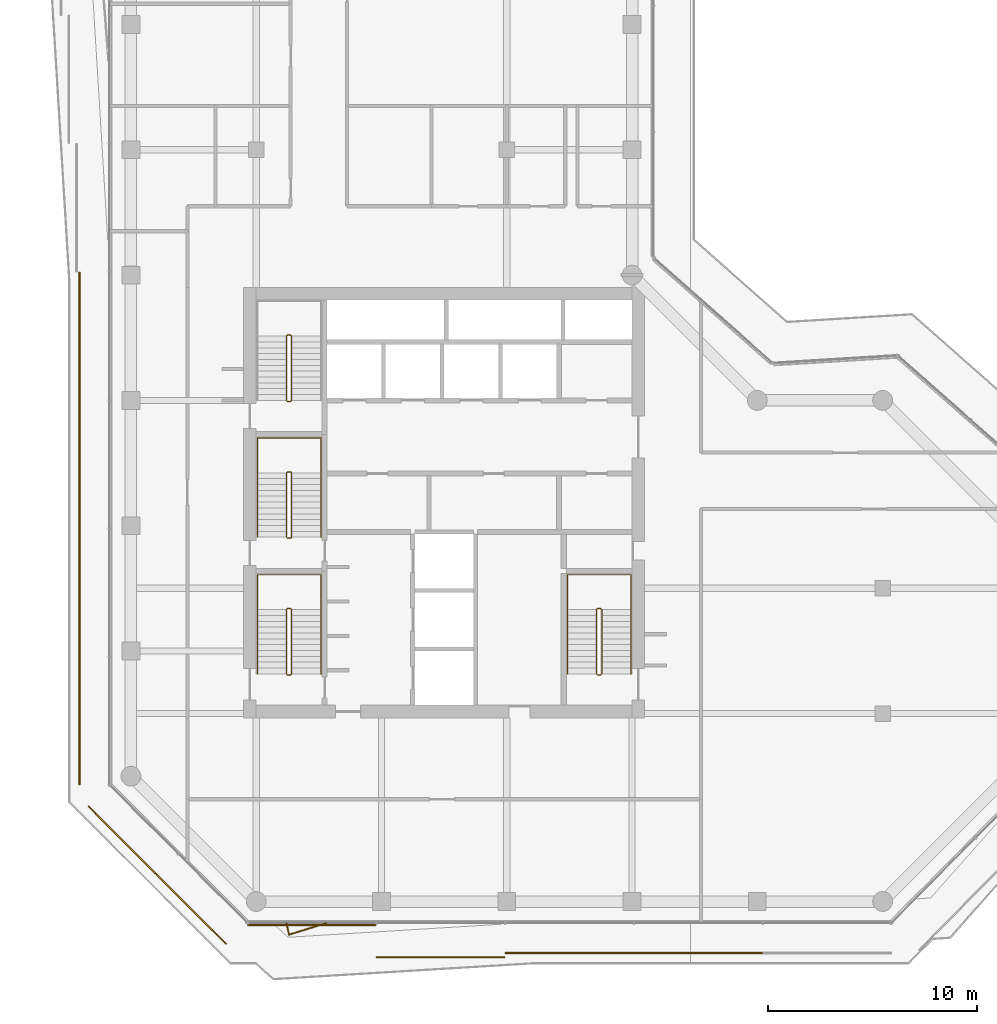
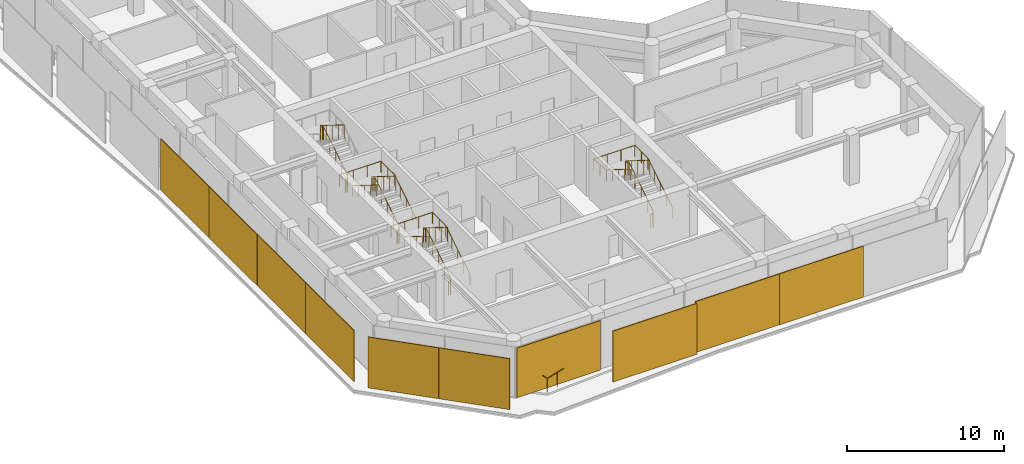
# One storey, part 20 of 21: 10 coverings, 8 railings.
"""IFC4 building model written with IfcOpenShell, lengths in metres."""

from ifc_helpers import new_model, si_unit, direction, frame, origin, origin_2d, place, context, subcontext, project, spatial, rectangle, circle, extrude, material, layer, layer_set, type_object, element, save


model = new_model("IFC4")

# Units and contexts
model_context = context("Model", 3, precision=1e-05, world=origin(), true_north=direction((0.0, 1.0)))
body_context = subcontext(model_context, "Body", "Model", "MODEL_VIEW")
ifc_project = project(units=[si_unit("LENGTHUNIT", "METRE"), si_unit("AREAUNIT", "SQUARE_METRE"), si_unit("VOLUMEUNIT", "CUBIC_METRE"), si_unit("PLANEANGLEUNIT", "RADIAN"), si_unit("MASSUNIT", "GRAM", prefix="KILO")], contexts=[model_context])

# Site, building, storey
site_placement = place(None, origin())
site = spatial("IfcSite", under=ifc_project, at=site_placement, CompositionType="ELEMENT")
building_placement = place(site_placement, origin())
building = spatial("IfcBuilding", under=site, at=building_placement, Name="Welwitschia Terrace Campus", CompositionType="ELEMENT")
storey_placement = place(building_placement, frame((0.0, 0.0, 184.39990234375)))
storey = spatial("IfcBuildingStorey", under=building, at=storey_placement, Name="L41", CompositionType="ELEMENT", Elevation=184.39990234375)

# Coverings
ifc_material_1 = material(Name="Bronze mesh aluminium screen", Category="aluminium")
ifc_layer = layer(ifc_material_1, 0.06005859375)
ifc_layer_set = layer_set([ifc_layer], Name="Bronze mesh aluminium screen")
covering_type = type_object("IfcCoveringType", Name="Bronze screen 60", PredefinedType="USERDEFINED", material=ifc_layer_set)
for number, where, z_axis, x_axis, name in (
    (1, (-0.390380859375, -1.088623046875, 0.0), (0.0, 0.0, 1.0), (0.707106781187, -0.707106781187, 0.0), "Screen L41.0.0"),
    (2, (2.911376953125, -4.390380859375, 0.0), (0.0, 0.0, 1.0), (0.707106781187, -0.707106781187, 0.0), "Screen L41.0.1"),
):
    element("IfcCovering", number, at=place(storey_placement, frame(where, z_axis=z_axis, x_axis=x_axis)), inside=storey, type_object=covering_type, Name=name, ObjectType="SCREEN", PredefinedType="USERDEFINED", context=body_context, shape_type="SweptSolid", body=[
        extrude(rectangle(XDim=4.6494140625, YDim=0.06005859375, at=origin_2d()), origin(), (0.0, 0.0, 1.0), 3.949951171875),
    ])
covering_placement = place(storey_placement, frame((8.65869140625, -5.1201171875, 0.0), z_axis=(0.0, 0.0, 1.0), x_axis=(1.0, 0.0, 0.0)))
element("IfcCovering", 3, at=covering_placement, inside=storey, type_object=covering_type, Name="Screen L41.1.0", ObjectType="SCREEN", PredefinedType="USERDEFINED", context=body_context, shape_type="SweptSolid", body=[
    extrude(rectangle(XDim=6.150634765625, YDim=0.06005859375, at=origin_2d()), origin(), (0.0, 0.0, 1.0), 3.85009765625),
])
for number, where, z_axis, x_axis, name in (
    (4, (14.829345703125, -6.665283203125, 0.0), (0.0, 0.0, 1.0), (1.0, 0.0, 0.0), "Screen L41.1.1"),
    (5, (21.0, -6.4599609375, 0.0), (0.0, 0.0, 1.0), (1.0, 0.0, 0.0), "Screen L41.1.2"),
    (6, (27.170654296875, -6.4599609375, 0.0), (0.0, 0.0, 1.0), (1.0, 0.0, 0.0), "Screen L41.1.3"),
):
    element("IfcCovering", number, at=place(storey_placement, frame(where, z_axis=z_axis, x_axis=x_axis)), inside=storey, type_object=covering_type, Name=name, ObjectType="SCREEN", PredefinedType="USERDEFINED", context=body_context, shape_type="SweptSolid", body=[
        extrude(rectangle(XDim=6.150634765625, YDim=0.06005859375, at=origin_2d()), origin(), (0.0, 0.0, 1.0), 3.949951171875),
    ])
for number, where, z_axis, x_axis, name in (
    (7, (-2.4599609375, 23.083251953125, 0.0), (0.0, 0.0, 1.0), (0.0, -1.0, 0.0), "Screen L41.10.6"),
    (8, (-2.4599609375, 16.9375, 0.0), (0.0, 0.0, 1.0), (0.0, -1.0, 0.0), "Screen L41.10.7"),
    (9, (-2.4599609375, 10.7919921875, 0.0), (0.0, 0.0, 1.0), (0.0, -1.0, 0.0), "Screen L41.10.8"),
    (10, (-2.4599609375, 4.646240234375, 0.0), (0.0, 0.0, 1.0), (0.0, -1.0, 0.0), "Screen L41.10.9"),
):
    element("IfcCovering", number, at=place(storey_placement, frame(where, z_axis=z_axis, x_axis=x_axis)), inside=storey, type_object=covering_type, Name=name, ObjectType="SCREEN", PredefinedType="USERDEFINED", context=body_context, shape_type="SweptSolid", body=[
        extrude(rectangle(XDim=6.125732421875, YDim=0.06005859375, at=origin_2d()), origin(), (0.0, 0.0, 1.0), 3.949951171875),
    ])

# Railings
ifc_material_2 = material(Name="Stainless steel grade 316", Category="steel")
railing_type_1 = type_object("IfcRailingType", Name="Guard 1100", PredefinedType="GUARDRAIL", material=ifc_material_2)
railing_1_placement = place(storey_placement, frame((9.361328125, -5.030029296875, 0.0)))
element("IfcRailing", 11, at=railing_1_placement, inside=storey, type_object=railing_type_1, Name="Guard floor edge L41.2", PredefinedType="GUARDRAIL", context=body_context, shape_type="SweptSolid", body=[
    extrude(circle(Radius=0.02392578125, at=origin_2d()), frame((0.0, 0.0, 1.076171875), z_axis=(-0.954440587669, -0.298401013086, 0.0), x_axis=(0.298401013086, -0.954440587669, 0.0)), (0.0, 0.0, 1.0), 1.875244140625),
    extrude(circle(Radius=0.02392578125, at=origin_2d()), frame((-1.789794921875, -0.5595703125, 1.076171875), z_axis=(-0.21598312722, 0.976397095836, 0.0), x_axis=(-0.976397095836, -0.21598312722, 0.0)), (0.0, 0.0, 1.0), 0.572998046875),
    extrude(circle(Radius=0.02099609375, at=origin_2d()), origin(), (0.0, 0.0, 1.0), 1.052001953125),
    extrude(circle(Radius=0.02099609375, at=origin_2d()), frame((-0.89501953125, -0.27978515625, 0.0)), (0.0, 0.0, 1.0), 1.052001953125),
    extrude(circle(Radius=0.02099609375, at=origin_2d()), frame((-1.789794921875, -0.5595703125, 0.0)), (0.0, 0.0, 1.0), 1.052001953125),
    extrude(circle(Radius=0.02099609375, at=origin_2d()), frame((-1.91357421875, 0.0, 0.0)), (0.0, 0.0, 1.0), 1.052001953125),
])
ifc_material_3 = material(Name="Steel S355", Category="steel")
railing_type_2 = type_object("IfcRailingType", Name="Stair guard 1100", PredefinedType="GUARDRAIL", material=ifc_material_3)
railing_2_placement = place(storey_placement, frame((7.5, 6.85009765625, 0.0)))
element("IfcRailing", 12, at=railing_2_placement, inside=storey, type_object=railing_type_2, Name="L41 S1 stair guard", PredefinedType="GUARDRAIL", context=body_context, shape_type="SweptSolid", body=[
    extrude(circle(Radius=0.02392578125, at=origin_2d()), frame((0.0, 0.0, 1.076171875), z_axis=(1.0, 0.0, 0.0), x_axis=(0.0, 1.0, 0.0)), (0.0, 0.0, 1.0), 0.14990234375),
    extrude(circle(Radius=0.02392578125, at=origin_2d()), frame((0.14990234375, 0.0, 1.076171875), z_axis=(0.265155923931, 0.263862480399, 0.927399011991), x_axis=(-0.705375805398, 0.708833529934, 0.0)), (0.0, 0.0, 1.0), 0.188720703125),
    extrude(circle(Radius=0.02392578125, at=origin_2d()), frame((0.199951171875, 0.0498046875, 1.2509765625), z_axis=(0.0, 0.847998304005, 0.529998940003), x_axis=(-1.0, 0.0, 0.0)), (0.0, 0.0, 1.0), 3.632080078125),
    extrude(circle(Radius=0.02392578125, at=origin_2d()), frame((0.199951171875, 3.1298828125, 3.17626953125), z_axis=(-0.707106781187, 0.707106781187, 0.0), x_axis=(-0.707106781187, -0.707106781187, 0.0)), (0.0, 0.0, 1.0), 0.07080078125),
    extrude(circle(Radius=0.02392578125, at=origin_2d()), frame((0.14990234375, 3.179931640625, 3.17626953125), z_axis=(-1.0, 0.0, 0.0), x_axis=(0.0, -1.0, 0.0)), (0.0, 0.0, 1.0), 0.14990234375),
    extrude(circle(Radius=0.02392578125, at=origin_2d()), frame((0.0, 3.179931640625, 3.17626953125), z_axis=(-0.265065253269, -0.265065253269, 0.927081885822), x_axis=(0.707106781187, -0.707106781187, 0.0)), (0.0, 0.0, 1.0), 0.188720703125),
    extrude(circle(Radius=0.02392578125, at=origin_2d()), frame((-0.050048828125, 3.1298828125, 3.35107421875), z_axis=(0.0, -0.847998304005, 0.529998940003), x_axis=(1.0, 0.0, 0.0)), (0.0, 0.0, 1.0), 3.632080078125),
    extrude(circle(Radius=0.02099609375, at=origin_2d()), origin(), (0.0, 0.0, 1.0), 1.052001953125),
    extrude(circle(Radius=0.02099609375, at=origin_2d()), frame((0.14990234375, 0.0, 0.0)), (0.0, 0.0, 1.0), 1.052001953125),
    extrude(circle(Radius=0.02099609375, at=origin_2d()), frame((0.199951171875, 0.0498046875, 0.175048828125)), (0.0, 0.0, 1.0), 1.052001953125),
    extrude(circle(Radius=0.02099609375, at=origin_2d()), frame((0.199951171875, 0.81982421875, 0.65625)), (0.0, 0.0, 1.0), 1.052001953125),
    extrude(circle(Radius=0.02099609375, at=origin_2d()), frame((0.199951171875, 1.58984375, 1.1376953125)), (0.0, 0.0, 1.0), 1.052001953125),
    extrude(circle(Radius=0.02099609375, at=origin_2d()), frame((0.199951171875, 2.35986328125, 1.618896484375)), (0.0, 0.0, 1.0), 1.052001953125),
    extrude(circle(Radius=0.02099609375, at=origin_2d()), frame((0.199951171875, 3.1298828125, 2.10009765625)), (0.0, 0.0, 1.0), 1.052001953125),
    extrude(circle(Radius=0.02099609375, at=origin_2d()), frame((0.14990234375, 3.179931640625, 2.10009765625)), (0.0, 0.0, 1.0), 1.052001953125),
    extrude(circle(Radius=0.02099609375, at=origin_2d()), frame((0.0, 3.179931640625, 2.10009765625)), (0.0, 0.0, 1.0), 1.052001953125),
    extrude(circle(Radius=0.02099609375, at=origin_2d()), frame((-0.050048828125, 3.1298828125, 2.275146484375)), (0.0, 0.0, 1.0), 1.052001953125),
    extrude(circle(Radius=0.02099609375, at=origin_2d()), frame((-0.050048828125, 2.35986328125, 2.75634765625)), (0.0, 0.0, 1.0), 1.052001953125),
    extrude(circle(Radius=0.02099609375, at=origin_2d()), frame((-0.050048828125, 1.58984375, 3.23779296875)), (0.0, 0.0, 1.0), 1.052001953125),
    extrude(circle(Radius=0.02099609375, at=origin_2d()), frame((-0.050048828125, 0.81982421875, 3.718994140625)), (0.0, 0.0, 1.0), 1.052001953125),
    extrude(circle(Radius=0.02099609375, at=origin_2d()), frame((-0.050048828125, 0.0498046875, 4.2001953125)), (0.0, 0.0, 1.0), 1.052001953125),
])
railing_3_placement = place(storey_placement, frame((7.5, 13.39990234375, 0.0)))
element("IfcRailing", 13, at=railing_3_placement, inside=storey, type_object=railing_type_2, Name="L41 S3 stair guard", PredefinedType="GUARDRAIL", context=body_context, shape_type="SweptSolid", body=[
    extrude(circle(Radius=0.02392578125, at=origin_2d()), frame((0.0, 0.0, 1.076171875), z_axis=(1.0, 0.0, 0.0), x_axis=(0.0, 1.0, 0.0)), (0.0, 0.0, 1.0), 0.14990234375),
    extrude(circle(Radius=0.02392578125, at=origin_2d()), frame((0.14990234375, 0.0, 1.076171875), z_axis=(0.265065253269, 0.265065253269, 0.927081885822), x_axis=(-0.707106781187, 0.707106781187, 0.0)), (0.0, 0.0, 1.0), 0.188720703125),
    extrude(circle(Radius=0.02392578125, at=origin_2d()), frame((0.199951171875, 0.050048828125, 1.2509765625), z_axis=(0.0, 0.847998304005, 0.529998940003), x_axis=(-1.0, 0.0, 0.0)), (0.0, 0.0, 1.0), 3.632080078125),
    extrude(circle(Radius=0.02392578125, at=origin_2d()), frame((0.199951171875, 3.130126953125, 3.17626953125), z_axis=(-0.707106781187, 0.707106781187, 0.0), x_axis=(-0.707106781187, -0.707106781187, 0.0)), (0.0, 0.0, 1.0), 0.07080078125),
    extrude(circle(Radius=0.02392578125, at=origin_2d()), frame((0.14990234375, 3.18017578125, 3.17626953125), z_axis=(-1.0, 0.0, 0.0), x_axis=(0.0, -1.0, 0.0)), (0.0, 0.0, 1.0), 0.14990234375),
    extrude(circle(Radius=0.02392578125, at=origin_2d()), frame((0.0, 3.18017578125, 3.17626953125), z_axis=(-0.265065253269, -0.265065253269, 0.927081885822), x_axis=(0.707106781187, -0.707106781187, 0.0)), (0.0, 0.0, 1.0), 0.188720703125),
    extrude(circle(Radius=0.02392578125, at=origin_2d()), frame((-0.050048828125, 3.130126953125, 3.35107421875), z_axis=(0.0, -0.847998304005, 0.529998940003), x_axis=(1.0, 0.0, 0.0)), (0.0, 0.0, 1.0), 3.632080078125),
    extrude(circle(Radius=0.02099609375, at=origin_2d()), origin(), (0.0, 0.0, 1.0), 1.052001953125),
    extrude(circle(Radius=0.02099609375, at=origin_2d()), frame((0.14990234375, 0.0, 0.0)), (0.0, 0.0, 1.0), 1.052001953125),
    extrude(circle(Radius=0.02099609375, at=origin_2d()), frame((0.199951171875, 0.050048828125, 0.175048828125)), (0.0, 0.0, 1.0), 1.052001953125),
    extrude(circle(Radius=0.02099609375, at=origin_2d()), frame((0.199951171875, 0.820068359375, 0.65625)), (0.0, 0.0, 1.0), 1.052001953125),
    extrude(circle(Radius=0.02099609375, at=origin_2d()), frame((0.199951171875, 1.590087890625, 1.1376953125)), (0.0, 0.0, 1.0), 1.052001953125),
    extrude(circle(Radius=0.02099609375, at=origin_2d()), frame((0.199951171875, 2.360107421875, 1.618896484375)), (0.0, 0.0, 1.0), 1.052001953125),
    extrude(circle(Radius=0.02099609375, at=origin_2d()), frame((0.199951171875, 3.130126953125, 2.10009765625)), (0.0, 0.0, 1.0), 1.052001953125),
    extrude(circle(Radius=0.02099609375, at=origin_2d()), frame((0.14990234375, 3.18017578125, 2.10009765625)), (0.0, 0.0, 1.0), 1.052001953125),
    extrude(circle(Radius=0.02099609375, at=origin_2d()), frame((0.0, 3.18017578125, 2.10009765625)), (0.0, 0.0, 1.0), 1.052001953125),
    extrude(circle(Radius=0.02099609375, at=origin_2d()), frame((-0.050048828125, 3.130126953125, 2.275146484375)), (0.0, 0.0, 1.0), 1.052001953125),
    extrude(circle(Radius=0.02099609375, at=origin_2d()), frame((-0.050048828125, 2.360107421875, 2.75634765625)), (0.0, 0.0, 1.0), 1.052001953125),
    extrude(circle(Radius=0.02099609375, at=origin_2d()), frame((-0.050048828125, 1.590087890625, 3.23779296875)), (0.0, 0.0, 1.0), 1.052001953125),
    extrude(circle(Radius=0.02099609375, at=origin_2d()), frame((-0.050048828125, 0.820068359375, 3.718994140625)), (0.0, 0.0, 1.0), 1.052001953125),
    extrude(circle(Radius=0.02099609375, at=origin_2d()), frame((-0.050048828125, 0.050048828125, 4.2001953125)), (0.0, 0.0, 1.0), 1.052001953125),
])
railing_4_placement = place(storey_placement, frame((7.5, 19.949951171875, 0.0)))
element("IfcRailing", 14, at=railing_4_placement, inside=storey, type_object=railing_type_2, Name="L41 S4 stair guard", PredefinedType="GUARDRAIL", context=body_context, shape_type="SweptSolid", body=[
    extrude(circle(Radius=0.02392578125, at=origin_2d()), frame((0.0, 0.0, 1.076171875), z_axis=(1.0, 0.0, 0.0), x_axis=(0.0, 1.0, 0.0)), (0.0, 0.0, 1.0), 0.14990234375),
    extrude(circle(Radius=0.02392578125, at=origin_2d()), frame((0.14990234375, 0.0, 1.076171875), z_axis=(0.265065253269, 0.265065253269, 0.927081885822), x_axis=(-0.707106781187, 0.707106781187, 0.0)), (0.0, 0.0, 1.0), 0.188720703125),
    extrude(circle(Radius=0.02392578125, at=origin_2d()), frame((0.199951171875, 0.050048828125, 1.2509765625), z_axis=(0.0, 0.847998304005, 0.529998940003), x_axis=(-1.0, 0.0, 0.0)), (0.0, 0.0, 1.0), 3.632080078125),
    extrude(circle(Radius=0.02392578125, at=origin_2d()), frame((0.199951171875, 3.130126953125, 3.17626953125), z_axis=(-0.708833529934, 0.705375805398, 0.0), x_axis=(-0.705375805398, -0.708833529934, 0.0)), (0.0, 0.0, 1.0), 0.070556640625),
    extrude(circle(Radius=0.02392578125, at=origin_2d()), frame((0.14990234375, 3.179931640625, 3.17626953125), z_axis=(-1.0, 0.0, 0.0), x_axis=(0.0, -1.0, 0.0)), (0.0, 0.0, 1.0), 0.14990234375),
    extrude(circle(Radius=0.02392578125, at=origin_2d()), frame((0.0, 3.179931640625, 3.17626953125), z_axis=(-0.265155923931, -0.263862480399, 0.927399011991), x_axis=(0.705375805398, -0.708833529934, 0.0)), (0.0, 0.0, 1.0), 0.188720703125),
    extrude(circle(Radius=0.02392578125, at=origin_2d()), frame((-0.050048828125, 3.130126953125, 3.35107421875), z_axis=(0.0, -0.847998304005, 0.529998940003), x_axis=(1.0, 0.0, 0.0)), (0.0, 0.0, 1.0), 3.632080078125),
    extrude(circle(Radius=0.02099609375, at=origin_2d()), origin(), (0.0, 0.0, 1.0), 1.052001953125),
    extrude(circle(Radius=0.02099609375, at=origin_2d()), frame((0.14990234375, 0.0, 0.0)), (0.0, 0.0, 1.0), 1.052001953125),
    extrude(circle(Radius=0.02099609375, at=origin_2d()), frame((0.199951171875, 0.050048828125, 0.175048828125)), (0.0, 0.0, 1.0), 1.052001953125),
    extrude(circle(Radius=0.02099609375, at=origin_2d()), frame((0.199951171875, 0.820068359375, 0.65625)), (0.0, 0.0, 1.0), 1.052001953125),
    extrude(circle(Radius=0.02099609375, at=origin_2d()), frame((0.199951171875, 1.590087890625, 1.1376953125)), (0.0, 0.0, 1.0), 1.052001953125),
    extrude(circle(Radius=0.02099609375, at=origin_2d()), frame((0.199951171875, 2.360107421875, 1.618896484375)), (0.0, 0.0, 1.0), 1.052001953125),
    extrude(circle(Radius=0.02099609375, at=origin_2d()), frame((0.199951171875, 3.130126953125, 2.10009765625)), (0.0, 0.0, 1.0), 1.052001953125),
    extrude(circle(Radius=0.02099609375, at=origin_2d()), frame((0.14990234375, 3.179931640625, 2.10009765625)), (0.0, 0.0, 1.0), 1.052001953125),
    extrude(circle(Radius=0.02099609375, at=origin_2d()), frame((0.0, 3.179931640625, 2.10009765625)), (0.0, 0.0, 1.0), 1.052001953125),
    extrude(circle(Radius=0.02099609375, at=origin_2d()), frame((-0.050048828125, 3.130126953125, 2.275146484375)), (0.0, 0.0, 1.0), 1.052001953125),
    extrude(circle(Radius=0.02099609375, at=origin_2d()), frame((-0.050048828125, 2.360107421875, 2.75634765625)), (0.0, 0.0, 1.0), 1.052001953125),
    extrude(circle(Radius=0.02099609375, at=origin_2d()), frame((-0.050048828125, 1.590087890625, 3.23779296875)), (0.0, 0.0, 1.0), 1.052001953125),
    extrude(circle(Radius=0.02099609375, at=origin_2d()), frame((-0.050048828125, 0.820068359375, 3.718994140625)), (0.0, 0.0, 1.0), 1.052001953125),
    extrude(circle(Radius=0.02099609375, at=origin_2d()), frame((-0.050048828125, 0.050048828125, 4.2001953125)), (0.0, 0.0, 1.0), 1.052001953125),
])
railing_5_placement = place(storey_placement, frame((22.35009765625, 6.85009765625, 0.0)))
element("IfcRailing", 15, at=railing_5_placement, inside=storey, type_object=railing_type_2, Name="L41 S2 stair guard", PredefinedType="GUARDRAIL", context=body_context, shape_type="SweptSolid", body=[
    extrude(circle(Radius=0.02392578125, at=origin_2d()), frame((0.0, 0.0, 1.076171875), z_axis=(1.0, 0.0, 0.0), x_axis=(0.0, 1.0, 0.0)), (0.0, 0.0, 1.0), 0.14990234375),
    extrude(circle(Radius=0.02392578125, at=origin_2d()), frame((0.14990234375, 0.0, 1.076171875), z_axis=(0.265155923931, 0.263862480399, 0.927399011991), x_axis=(-0.705375805398, 0.708833529934, 0.0)), (0.0, 0.0, 1.0), 0.188720703125),
    extrude(circle(Radius=0.02392578125, at=origin_2d()), frame((0.199951171875, 0.0498046875, 1.2509765625), z_axis=(0.0, 0.847998304005, 0.529998940003), x_axis=(-1.0, 0.0, 0.0)), (0.0, 0.0, 1.0), 3.632080078125),
    extrude(circle(Radius=0.02392578125, at=origin_2d()), frame((0.199951171875, 3.1298828125, 3.17626953125), z_axis=(-0.707106781187, 0.707106781187, 0.0), x_axis=(-0.707106781187, -0.707106781187, 0.0)), (0.0, 0.0, 1.0), 0.07080078125),
    extrude(circle(Radius=0.02392578125, at=origin_2d()), frame((0.14990234375, 3.179931640625, 3.17626953125), z_axis=(-1.0, 0.0, 0.0), x_axis=(0.0, -1.0, 0.0)), (0.0, 0.0, 1.0), 0.14990234375),
    extrude(circle(Radius=0.02392578125, at=origin_2d()), frame((0.0, 3.179931640625, 3.17626953125), z_axis=(-0.265065253269, -0.265065253269, 0.927081885822), x_axis=(0.707106781187, -0.707106781187, 0.0)), (0.0, 0.0, 1.0), 0.188720703125),
    extrude(circle(Radius=0.02392578125, at=origin_2d()), frame((-0.050048828125, 3.1298828125, 3.35107421875), z_axis=(0.0, -0.847998304005, 0.529998940003), x_axis=(1.0, 0.0, 0.0)), (0.0, 0.0, 1.0), 3.632080078125),
    extrude(circle(Radius=0.02099609375, at=origin_2d()), origin(), (0.0, 0.0, 1.0), 1.052001953125),
    extrude(circle(Radius=0.02099609375, at=origin_2d()), frame((0.14990234375, 0.0, 0.0)), (0.0, 0.0, 1.0), 1.052001953125),
    extrude(circle(Radius=0.02099609375, at=origin_2d()), frame((0.199951171875, 0.0498046875, 0.175048828125)), (0.0, 0.0, 1.0), 1.052001953125),
    extrude(circle(Radius=0.02099609375, at=origin_2d()), frame((0.199951171875, 0.81982421875, 0.65625)), (0.0, 0.0, 1.0), 1.052001953125),
    extrude(circle(Radius=0.02099609375, at=origin_2d()), frame((0.199951171875, 1.58984375, 1.1376953125)), (0.0, 0.0, 1.0), 1.052001953125),
    extrude(circle(Radius=0.02099609375, at=origin_2d()), frame((0.199951171875, 2.35986328125, 1.618896484375)), (0.0, 0.0, 1.0), 1.052001953125),
    extrude(circle(Radius=0.02099609375, at=origin_2d()), frame((0.199951171875, 3.1298828125, 2.10009765625)), (0.0, 0.0, 1.0), 1.052001953125),
    extrude(circle(Radius=0.02099609375, at=origin_2d()), frame((0.14990234375, 3.179931640625, 2.10009765625)), (0.0, 0.0, 1.0), 1.052001953125),
    extrude(circle(Radius=0.02099609375, at=origin_2d()), frame((0.0, 3.179931640625, 2.10009765625)), (0.0, 0.0, 1.0), 1.052001953125),
    extrude(circle(Radius=0.02099609375, at=origin_2d()), frame((-0.050048828125, 3.1298828125, 2.275146484375)), (0.0, 0.0, 1.0), 1.052001953125),
    extrude(circle(Radius=0.02099609375, at=origin_2d()), frame((-0.050048828125, 2.35986328125, 2.75634765625)), (0.0, 0.0, 1.0), 1.052001953125),
    extrude(circle(Radius=0.02099609375, at=origin_2d()), frame((-0.050048828125, 1.58984375, 3.23779296875)), (0.0, 0.0, 1.0), 1.052001953125),
    extrude(circle(Radius=0.02099609375, at=origin_2d()), frame((-0.050048828125, 0.81982421875, 3.718994140625)), (0.0, 0.0, 1.0), 1.052001953125),
    extrude(circle(Radius=0.02099609375, at=origin_2d()), frame((-0.050048828125, 0.0498046875, 4.2001953125)), (0.0, 0.0, 1.0), 1.052001953125),
])
ifc_material_4 = material(Name="Steel S355", Category="steel")
railing_type_3 = type_object("IfcRailingType", Name="Stair handrail 900", PredefinedType="HANDRAIL", material=ifc_material_4)
railing_6_placement = place(storey_placement, frame((9.10009765625, 6.89990234375, 0.175048828125)))
element("IfcRailing", 16, at=railing_6_placement, inside=storey, type_object=railing_type_3, Name="L41 S1 stair handrail", PredefinedType="HANDRAIL", context=body_context, shape_type="SweptSolid", body=[
    extrude(circle(Radius=0.02392578125, at=origin_2d()), frame((0.0, 0.0, 0.8759765625), z_axis=(0.0, 0.847998304005, 0.529998940003), x_axis=(-1.0, 0.0, 0.0)), (0.0, 0.0, 1.0), 3.632080078125),
    extrude(circle(Radius=0.02392578125, at=origin_2d()), frame((0.0, 3.080078125, 2.80078125), z_axis=(0.0, 1.0, 0.0), x_axis=(-1.0, 0.0, 0.0)), (0.0, 0.0, 1.0), 1.669921875),
    extrude(circle(Radius=0.02392578125, at=origin_2d()), frame((0.0, 4.75, 2.80078125), z_axis=(-1.0, 0.0, 0.0), x_axis=(0.0, -1.0, 0.0)), (0.0, 0.0, 1.0), 3.050048828125),
    extrude(circle(Radius=0.02392578125, at=origin_2d()), frame((-3.050048828125, 4.75, 2.80078125), z_axis=(0.0, -0.99455077262, 0.104253348533), x_axis=(1.0, 0.0, 0.0)), (0.0, 0.0, 1.0), 1.678955078125),
    extrude(circle(Radius=0.02392578125, at=origin_2d()), frame((-3.050048828125, 3.080078125, 2.97607421875), z_axis=(0.0, -0.847998304005, 0.529998940003), x_axis=(1.0, 0.0, 0.0)), (0.0, 0.0, 1.0), 3.632080078125),
    extrude(circle(Radius=0.02099609375, at=origin_2d()), origin(), (0.0, 0.0, 1.0), 0.851806640625),
    extrude(circle(Radius=0.02099609375, at=origin_2d()), frame((0.0, 0.77001953125, 0.481201171875)), (0.0, 0.0, 1.0), 0.851806640625),
    extrude(circle(Radius=0.02099609375, at=origin_2d()), frame((0.0, 1.5400390625, 0.96240234375)), (0.0, 0.0, 1.0), 0.851806640625),
    extrude(circle(Radius=0.02099609375, at=origin_2d()), frame((0.0, 2.31005859375, 1.44384765625)), (0.0, 0.0, 1.0), 0.851806640625),
    extrude(circle(Radius=0.02099609375, at=origin_2d()), frame((0.0, 3.080078125, 1.925048828125)), (0.0, 0.0, 1.0), 0.851806640625),
    extrude(circle(Radius=0.02099609375, at=origin_2d()), frame((0.0, 3.9150390625, 1.925048828125)), (0.0, 0.0, 1.0), 0.851806640625),
    extrude(circle(Radius=0.02099609375, at=origin_2d()), frame((0.0, 4.75, 1.925048828125)), (0.0, 0.0, 1.0), 0.851806640625),
    extrude(circle(Radius=0.02099609375, at=origin_2d()), frame((-1.0166015625, 4.75, 1.925048828125)), (0.0, 0.0, 1.0), 0.851806640625),
    extrude(circle(Radius=0.02099609375, at=origin_2d()), frame((-2.033447265625, 4.75, 1.925048828125)), (0.0, 0.0, 1.0), 0.851806640625),
    extrude(circle(Radius=0.02099609375, at=origin_2d()), frame((-3.050048828125, 4.75, 1.925048828125)), (0.0, 0.0, 1.0), 0.851806640625),
    extrude(circle(Radius=0.02099609375, at=origin_2d()), frame((-3.050048828125, 3.9150390625, 2.0126953125)), (0.0, 0.0, 1.0), 0.851806640625),
    extrude(circle(Radius=0.02099609375, at=origin_2d()), frame((-3.050048828125, 3.080078125, 2.10009765625)), (0.0, 0.0, 1.0), 0.851806640625),
    extrude(circle(Radius=0.02099609375, at=origin_2d()), frame((-3.050048828125, 2.31005859375, 2.581298828125)), (0.0, 0.0, 1.0), 0.851806640625),
    extrude(circle(Radius=0.02099609375, at=origin_2d()), frame((-3.050048828125, 1.5400390625, 3.0625)), (0.0, 0.0, 1.0), 0.851806640625),
    extrude(circle(Radius=0.02099609375, at=origin_2d()), frame((-3.050048828125, 0.77001953125, 3.5439453125)), (0.0, 0.0, 1.0), 0.851806640625),
    extrude(circle(Radius=0.02099609375, at=origin_2d()), frame((-3.050048828125, 0.0, 4.025146484375)), (0.0, 0.0, 1.0), 0.851806640625),
])
railing_7_placement = place(storey_placement, frame((9.10009765625, 13.449951171875, 0.175048828125)))
element("IfcRailing", 17, at=railing_7_placement, inside=storey, type_object=railing_type_3, Name="L41 S3 stair handrail", PredefinedType="HANDRAIL", context=body_context, shape_type="SweptSolid", body=[
    extrude(circle(Radius=0.02392578125, at=origin_2d()), frame((0.0, 0.0, 0.8759765625), z_axis=(0.0, 0.847998304005, 0.529998940003), x_axis=(-1.0, 0.0, 0.0)), (0.0, 0.0, 1.0), 3.632080078125),
    extrude(circle(Radius=0.02392578125, at=origin_2d()), frame((0.0, 3.080078125, 2.80078125), z_axis=(0.0, 1.0, 0.0), x_axis=(-1.0, 0.0, 0.0)), (0.0, 0.0, 1.0), 1.669921875),
    extrude(circle(Radius=0.02392578125, at=origin_2d()), frame((0.0, 4.75, 2.80078125), z_axis=(-1.0, 0.0, 0.0), x_axis=(0.0, -1.0, 0.0)), (0.0, 0.0, 1.0), 3.050048828125),
    extrude(circle(Radius=0.02392578125, at=origin_2d()), frame((-3.050048828125, 4.75, 2.80078125), z_axis=(0.0, -0.99455077262, 0.104253348533), x_axis=(1.0, 0.0, 0.0)), (0.0, 0.0, 1.0), 1.678955078125),
    extrude(circle(Radius=0.02392578125, at=origin_2d()), frame((-3.050048828125, 3.080078125, 2.97607421875), z_axis=(0.0, -0.847998304005, 0.529998940003), x_axis=(1.0, 0.0, 0.0)), (0.0, 0.0, 1.0), 3.632080078125),
    extrude(circle(Radius=0.02099609375, at=origin_2d()), origin(), (0.0, 0.0, 1.0), 0.851806640625),
    extrude(circle(Radius=0.02099609375, at=origin_2d()), frame((0.0, 0.77001953125, 0.481201171875)), (0.0, 0.0, 1.0), 0.851806640625),
    extrude(circle(Radius=0.02099609375, at=origin_2d()), frame((0.0, 1.5400390625, 0.96240234375)), (0.0, 0.0, 1.0), 0.851806640625),
    extrude(circle(Radius=0.02099609375, at=origin_2d()), frame((0.0, 2.31005859375, 1.44384765625)), (0.0, 0.0, 1.0), 0.851806640625),
    extrude(circle(Radius=0.02099609375, at=origin_2d()), frame((0.0, 3.080078125, 1.925048828125)), (0.0, 0.0, 1.0), 0.851806640625),
    extrude(circle(Radius=0.02099609375, at=origin_2d()), frame((0.0, 3.9150390625, 1.925048828125)), (0.0, 0.0, 1.0), 0.851806640625),
    extrude(circle(Radius=0.02099609375, at=origin_2d()), frame((0.0, 4.75, 1.925048828125)), (0.0, 0.0, 1.0), 0.851806640625),
    extrude(circle(Radius=0.02099609375, at=origin_2d()), frame((-1.0166015625, 4.75, 1.925048828125)), (0.0, 0.0, 1.0), 0.851806640625),
    extrude(circle(Radius=0.02099609375, at=origin_2d()), frame((-2.033447265625, 4.75, 1.925048828125)), (0.0, 0.0, 1.0), 0.851806640625),
    extrude(circle(Radius=0.02099609375, at=origin_2d()), frame((-3.050048828125, 4.75, 1.925048828125)), (0.0, 0.0, 1.0), 0.851806640625),
    extrude(circle(Radius=0.02099609375, at=origin_2d()), frame((-3.050048828125, 3.9150390625, 2.0126953125)), (0.0, 0.0, 1.0), 0.851806640625),
    extrude(circle(Radius=0.02099609375, at=origin_2d()), frame((-3.050048828125, 3.080078125, 2.10009765625)), (0.0, 0.0, 1.0), 0.851806640625),
    extrude(circle(Radius=0.02099609375, at=origin_2d()), frame((-3.050048828125, 2.31005859375, 2.581298828125)), (0.0, 0.0, 1.0), 0.851806640625),
    extrude(circle(Radius=0.02099609375, at=origin_2d()), frame((-3.050048828125, 1.5400390625, 3.0625)), (0.0, 0.0, 1.0), 0.851806640625),
    extrude(circle(Radius=0.02099609375, at=origin_2d()), frame((-3.050048828125, 0.77001953125, 3.5439453125)), (0.0, 0.0, 1.0), 0.851806640625),
    extrude(circle(Radius=0.02099609375, at=origin_2d()), frame((-3.050048828125, 0.0, 4.025146484375)), (0.0, 0.0, 1.0), 0.851806640625),
])
railing_8_placement = place(storey_placement, frame((23.949951171875, 6.89990234375, 0.175048828125)))
element("IfcRailing", 18, at=railing_8_placement, inside=storey, type_object=railing_type_3, Name="L41 S2 stair handrail", PredefinedType="HANDRAIL", context=body_context, shape_type="SweptSolid", body=[
    extrude(circle(Radius=0.02392578125, at=origin_2d()), frame((0.0, 0.0, 0.8759765625), z_axis=(0.0, 0.847998304005, 0.529998940003), x_axis=(-1.0, 0.0, 0.0)), (0.0, 0.0, 1.0), 3.632080078125),
    extrude(circle(Radius=0.02392578125, at=origin_2d()), frame((0.0, 3.080078125, 2.80078125), z_axis=(0.0, 1.0, 0.0), x_axis=(-1.0, 0.0, 0.0)), (0.0, 0.0, 1.0), 1.669921875),
    extrude(circle(Radius=0.02392578125, at=origin_2d()), frame((0.0, 4.75, 2.80078125), z_axis=(-1.0, 0.0, 0.0), x_axis=(0.0, -1.0, 0.0)), (0.0, 0.0, 1.0), 3.050048828125),
    extrude(circle(Radius=0.02392578125, at=origin_2d()), frame((-3.050048828125, 4.75, 2.80078125), z_axis=(0.0, -0.99455077262, 0.104253348533), x_axis=(1.0, 0.0, 0.0)), (0.0, 0.0, 1.0), 1.678955078125),
    extrude(circle(Radius=0.02392578125, at=origin_2d()), frame((-3.050048828125, 3.080078125, 2.97607421875), z_axis=(0.0, -0.847998304005, 0.529998940003), x_axis=(1.0, 0.0, 0.0)), (0.0, 0.0, 1.0), 3.632080078125),
    extrude(circle(Radius=0.02099609375, at=origin_2d()), origin(), (0.0, 0.0, 1.0), 0.851806640625),
    extrude(circle(Radius=0.02099609375, at=origin_2d()), frame((0.0, 0.77001953125, 0.481201171875)), (0.0, 0.0, 1.0), 0.851806640625),
    extrude(circle(Radius=0.02099609375, at=origin_2d()), frame((0.0, 1.5400390625, 0.96240234375)), (0.0, 0.0, 1.0), 0.851806640625),
    extrude(circle(Radius=0.02099609375, at=origin_2d()), frame((0.0, 2.31005859375, 1.44384765625)), (0.0, 0.0, 1.0), 0.851806640625),
    extrude(circle(Radius=0.02099609375, at=origin_2d()), frame((0.0, 3.080078125, 1.925048828125)), (0.0, 0.0, 1.0), 0.851806640625),
    extrude(circle(Radius=0.02099609375, at=origin_2d()), frame((0.0, 3.9150390625, 1.925048828125)), (0.0, 0.0, 1.0), 0.851806640625),
    extrude(circle(Radius=0.02099609375, at=origin_2d()), frame((0.0, 4.75, 1.925048828125)), (0.0, 0.0, 1.0), 0.851806640625),
    extrude(circle(Radius=0.02099609375, at=origin_2d()), frame((-1.0166015625, 4.75, 1.925048828125)), (0.0, 0.0, 1.0), 0.851806640625),
    extrude(circle(Radius=0.02099609375, at=origin_2d()), frame((-2.033447265625, 4.75, 1.925048828125)), (0.0, 0.0, 1.0), 0.851806640625),
    extrude(circle(Radius=0.02099609375, at=origin_2d()), frame((-3.050048828125, 4.75, 1.925048828125)), (0.0, 0.0, 1.0), 0.851806640625),
    extrude(circle(Radius=0.02099609375, at=origin_2d()), frame((-3.050048828125, 3.9150390625, 2.0126953125)), (0.0, 0.0, 1.0), 0.851806640625),
    extrude(circle(Radius=0.02099609375, at=origin_2d()), frame((-3.050048828125, 3.080078125, 2.10009765625)), (0.0, 0.0, 1.0), 0.851806640625),
    extrude(circle(Radius=0.02099609375, at=origin_2d()), frame((-3.050048828125, 2.31005859375, 2.581298828125)), (0.0, 0.0, 1.0), 0.851806640625),
    extrude(circle(Radius=0.02099609375, at=origin_2d()), frame((-3.050048828125, 1.5400390625, 3.0625)), (0.0, 0.0, 1.0), 0.851806640625),
    extrude(circle(Radius=0.02099609375, at=origin_2d()), frame((-3.050048828125, 0.77001953125, 3.5439453125)), (0.0, 0.0, 1.0), 0.851806640625),
    extrude(circle(Radius=0.02099609375, at=origin_2d()), frame((-3.050048828125, 0.0, 4.025146484375)), (0.0, 0.0, 1.0), 0.851806640625),
])

save(model, "model.ifc")
